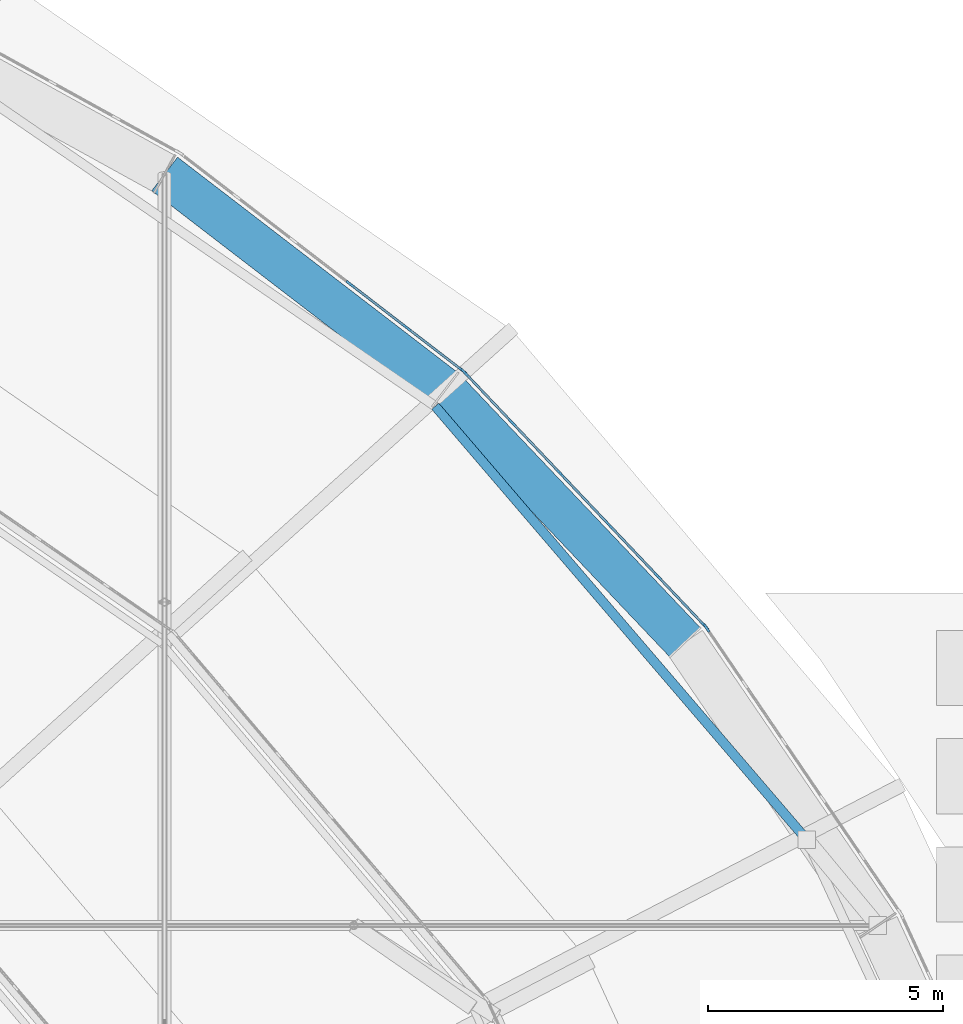
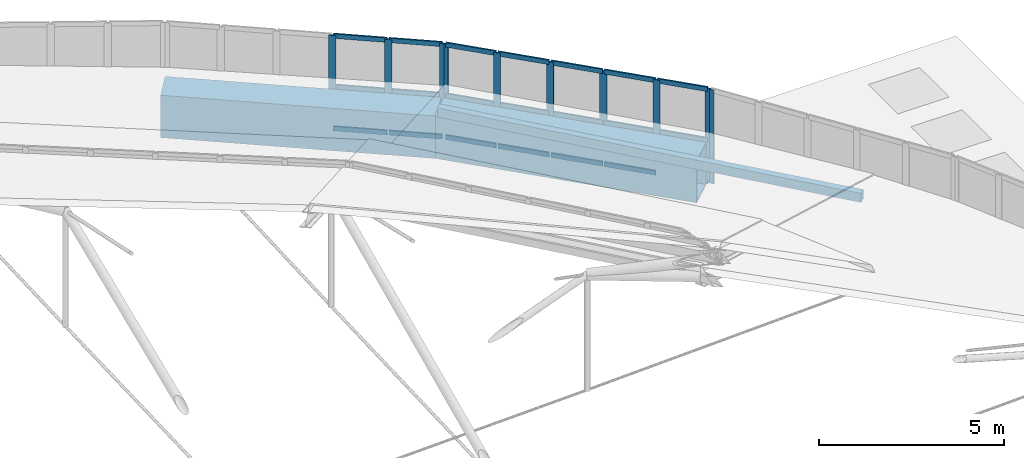
# One storey, part 121 of 173: 32 members, 2 beams, 3 elements without a shape of their own.
"""IFC4 building model written with IfcOpenShell, lengths in metres."""

from ifc_helpers import new_model, si_unit, direction, frame, origin, origin_2d, place, context, subcontext, project, spatial, rectangle, hollow_rectangle, extrude, material, material_profile, profile_set, type_object, element, aggregate, save


model = new_model("IFC4")

# Units and contexts
model_context = context("Model", 3, precision=1e-05, world=origin(), true_north=direction((0.0, 1.0)))
body_context = subcontext(model_context, "Body", "Model", "MODEL_VIEW")
ifc_project = project(units=[si_unit("LENGTHUNIT", "METRE"), si_unit("AREAUNIT", "SQUARE_METRE"), si_unit("VOLUMEUNIT", "CUBIC_METRE"), si_unit("PLANEANGLEUNIT", "RADIAN"), si_unit("MASSUNIT", "GRAM", prefix="KILO")], contexts=[model_context])

# Site, building, storey
site_placement = place(None, origin())
site = spatial("IfcSite", under=ifc_project, at=site_placement, CompositionType="ELEMENT")
building_placement = place(site_placement, origin())
building = spatial("IfcBuilding", under=site, at=building_placement, Name="Glasvene Arena", CompositionType="ELEMENT")
storey_placement = place(building_placement, frame((0.0, 0.0, 28.800048828125)))
storey = spatial("IfcBuildingStorey", under=building, at=storey_placement, Name="RF", CompositionType="ELEMENT", Elevation=28.800048828125)

# Beams
ifc_material_1 = material(Name="Steel S355J2", Category="steel")
ifc_material_profile_1 = material_profile(ifc_material_1, hollow_rectangle(XDim=0.89990234375, YDim=1.39990234375, WallThickness=0.034912109375, at=origin_2d()), Name="WBOX 900x1400x35")
ifc_profile_set_1 = profile_set([ifc_material_profile_1], Name="Steel S355J2")
beam_type = type_object("IfcBeamType", Name="BM-RING-BOX1400", PredefinedType="USERDEFINED", material=ifc_profile_set_1)
beam_1_placement = place(storey_placement, frame((132.45068359375, 99.4501953125, -0.699951171875), z_axis=(-0.688345435881, 0.725383044261, 0.0), x_axis=(-0.725383044261, -0.688345435881, 0.0)))
element("IfcBeam", 1, at=beam_1_placement, inside=storey, type_object=beam_type, Name="Compression ring beam chord RB-05", ObjectType="RING BEAM", PredefinedType="USERDEFINED", context=body_context, shape_type="SweptSolid", body=[
    extrude(hollow_rectangle(XDim=0.89990234375, YDim=1.39990234375, WallThickness=0.034912109375, at=origin_2d()), origin(), (0.0, 0.0, 1.0), 7.402587890625),
])
beam_2_placement = place(storey_placement, frame((127.355224609375, 104.81982421875, -0.699951171875), z_axis=(-0.792826575958, 0.609447307366, 0.0), x_axis=(-0.609447307366, -0.792826575958, 0.0)))
element("IfcBeam", 2, at=beam_2_placement, inside=storey, type_object=beam_type, Name="Compression ring beam chord RB-06", ObjectType="RING BEAM", PredefinedType="USERDEFINED", context=body_context, shape_type="SweptSolid", body=[
    extrude(hollow_rectangle(XDim=0.89990234375, YDim=1.39990234375, WallThickness=0.034912109375, at=origin_2d()), origin(), (0.0, 0.0, 1.0), 7.524658203125),
])

# Curtain wall, member
ifc_material_2 = material(Name="Low-emissivity laminated double glazing", Category="glass")
curtain_wall_type_1 = type_object("IfcCurtainWallType", Name="CW-DRUM-737x310", PredefinedType="USERDEFINED", material=ifc_material_2)
curtain_wall_1_placement = place(storey_placement, frame((137.040283203125, 93.67919921875, 0.0)))
curtain_wall_1 = element("IfcCurtainWall", 3, at=curtain_wall_1_placement, inside=storey, type_object=curtain_wall_type_1, Name="Crown compression-ring fascia curtain wall 04", ObjectType="CURTAIN WALL", PredefinedType="USERDEFINED")
ifc_material_3 = material(Name="Anodised architectural aluminium", Category="aluminium")
ifc_material_profile_2 = material_profile(ifc_material_3, rectangle(XDim=0.050048828125, YDim=0.199951171875, at=origin_2d()), Name="ALU MULLION 50x200")
ifc_profile_set_2 = profile_set([ifc_material_profile_2], Name="Anodised architectural aluminium")
member_type_1 = type_object("IfcMemberType", Name="CW-MUL-180", PredefinedType="MULLION", material=ifc_profile_set_2)
member_1_placement = place(storey_placement, frame((132.909912109375, 99.7529296875, -1.380126953125), z_axis=(0.0, 0.0, 1.0), x_axis=(-0.826896469394, -0.56235418457, 0.0)))
member_1 = element("IfcMember", 4, at=member_1_placement, type_object=member_type_1, Name="CW-074 mullion 6", PredefinedType="MULLION", context=body_context, shape_type="SweptSolid", body=[
    extrude(rectangle(XDim=0.050048828125, YDim=0.199951171875, at=origin_2d()), origin(), (0.0, 0.0, 1.0), 3.10009765625),
])
aggregate(curtain_wall_1, [member_1])

# Curtain wall, members
curtain_wall_type_2 = type_object("IfcCurtainWallType", Name="CW-DRUM-749x310", PredefinedType="USERDEFINED", material=ifc_material_2)
curtain_wall_2_placement = place(storey_placement, frame((132.895751953125, 99.773681640625, 0.0)))
curtain_wall_2 = element("IfcCurtainWall", 5, at=curtain_wall_2_placement, inside=storey, type_object=curtain_wall_type_2, Name="Crown compression-ring fascia curtain wall 05", ObjectType="CURTAIN WALL", PredefinedType="USERDEFINED")
member_2_placement = place(storey_placement, frame((132.878662109375, 99.791748046875, -1.380126953125), z_axis=(0.0, 0.0, 1.0), x_axis=(-0.725782125252, -0.687924637344, 0.0)))
member_2 = element("IfcMember", 6, at=member_2_placement, type_object=member_type_1, Name="CW-075 mullion 1", PredefinedType="MULLION", context=body_context, shape_type="SweptSolid", body=[
    extrude(rectangle(XDim=0.050048828125, YDim=0.199951171875, at=origin_2d()), origin(), (0.0, 0.0, 1.0), 3.10009765625),
])
member_3_placement = place(storey_placement, frame((131.865478515625, 100.860595703125, -1.380126953125), z_axis=(0.0, 0.0, 1.0), x_axis=(-0.725782125252, -0.687924637344, 0.0)))
member_3 = element("IfcMember", 7, at=member_3_placement, type_object=member_type_1, Name="CW-075 mullion 2", PredefinedType="MULLION", context=body_context, shape_type="SweptSolid", body=[
    extrude(rectangle(XDim=0.050048828125, YDim=0.199951171875, at=origin_2d()), origin(), (0.0, 0.0, 1.0), 3.10009765625),
])
member_4_placement = place(storey_placement, frame((130.835205078125, 101.94775390625, -1.380126953125), z_axis=(0.0, 0.0, 1.0), x_axis=(-0.725782125252, -0.687924637344, 0.0)))
member_4 = element("IfcMember", 8, at=member_4_placement, type_object=member_type_1, Name="CW-075 mullion 3", PredefinedType="MULLION", context=body_context, shape_type="SweptSolid", body=[
    extrude(rectangle(XDim=0.050048828125, YDim=0.199951171875, at=origin_2d()), origin(), (0.0, 0.0, 1.0), 3.10009765625),
])
member_5_placement = place(storey_placement, frame((129.804931640625, 103.03466796875, -1.380126953125), z_axis=(0.0, 0.0, 1.0), x_axis=(-0.725782125252, -0.687924637344, 0.0)))
member_5 = element("IfcMember", 9, at=member_5_placement, type_object=member_type_1, Name="CW-075 mullion 4", PredefinedType="MULLION", context=body_context, shape_type="SweptSolid", body=[
    extrude(rectangle(XDim=0.050048828125, YDim=0.199951171875, at=origin_2d()), origin(), (0.0, 0.0, 1.0), 3.10009765625),
])
member_6_placement = place(storey_placement, frame((128.7744140625, 104.12158203125, -1.380126953125), z_axis=(0.0, 0.0, 1.0), x_axis=(-0.725782125252, -0.687924637344, 0.0)))
member_6 = element("IfcMember", 10, at=member_6_placement, type_object=member_type_1, Name="CW-075 mullion 5", PredefinedType="MULLION", context=body_context, shape_type="SweptSolid", body=[
    extrude(rectangle(XDim=0.050048828125, YDim=0.199951171875, at=origin_2d()), origin(), (0.0, 0.0, 1.0), 3.10009765625),
])
member_7_placement = place(storey_placement, frame((127.761474609375, 105.190673828125, -1.380126953125), z_axis=(0.0, 0.0, 1.0), x_axis=(-0.725782125252, -0.687924637344, 0.0)))
member_7 = element("IfcMember", 11, at=member_7_placement, type_object=member_type_1, Name="CW-075 mullion 6", PredefinedType="MULLION", context=body_context, shape_type="SweptSolid", body=[
    extrude(rectangle(XDim=0.050048828125, YDim=0.199951171875, at=origin_2d()), origin(), (0.0, 0.0, 1.0), 3.10009765625),
])

curtain_wall_type_3 = type_object("IfcCurtainWallType", Name="CW-DRUM-761x310", PredefinedType="USERDEFINED", material=ifc_material_2)
curtain_wall_3_placement = place(storey_placement, frame((127.744140625, 105.208740234375, 0.0)))
curtain_wall_3 = element("IfcCurtainWall", 12, at=curtain_wall_3_placement, inside=storey, type_object=curtain_wall_type_3, Name="Crown compression-ring fascia curtain wall 06", ObjectType="CURTAIN WALL", PredefinedType="USERDEFINED")
member_8_placement = place(storey_placement, frame((127.724365234375, 105.223876953125, -1.380126953125), z_axis=(0.0, 0.0, 1.0), x_axis=(-0.609894880488, -0.792482324569, 0.0)))
member_8 = element("IfcMember", 13, at=member_8_placement, type_object=member_type_1, Name="CW-076 mullion 1", PredefinedType="MULLION", context=body_context, shape_type="SweptSolid", body=[
    extrude(rectangle(XDim=0.050048828125, YDim=0.199951171875, at=origin_2d()), origin(), (0.0, 0.0, 1.0), 3.10009765625),
])
member_9_placement = place(storey_placement, frame((126.537841796875, 106.13720703125, -1.380126953125), z_axis=(0.0, 0.0, 1.0), x_axis=(-0.609894880488, -0.792482324569, 0.0)))
member_9 = element("IfcMember", 14, at=member_9_placement, type_object=member_type_1, Name="CW-076 mullion 2", PredefinedType="MULLION", context=body_context, shape_type="SweptSolid", body=[
    extrude(rectangle(XDim=0.050048828125, YDim=0.199951171875, at=origin_2d()), origin(), (0.0, 0.0, 1.0), 3.10009765625),
])
member_10_placement = place(storey_placement, frame((125.33154296875, 107.0654296875, -1.380126953125), z_axis=(0.0, 0.0, 1.0), x_axis=(-0.609894880488, -0.792482324569, 0.0)))
member_10 = element("IfcMember", 15, at=member_10_placement, type_object=member_type_1, Name="CW-076 mullion 3", PredefinedType="MULLION", context=body_context, shape_type="SweptSolid", body=[
    extrude(rectangle(XDim=0.050048828125, YDim=0.199951171875, at=origin_2d()), origin(), (0.0, 0.0, 1.0), 3.10009765625),
])

# Member
ifc_material_profile_3 = material_profile(ifc_material_3, rectangle(XDim=0.050048828125, YDim=0.14990234375, at=origin_2d()), Name="ALU TRANSOM 50x150")
ifc_profile_set_3 = profile_set([ifc_material_profile_3], Name="Anodised architectural aluminium")
member_type_2 = type_object("IfcMemberType", Name="CW-TRN-150", PredefinedType="USERDEFINED", material=ifc_profile_set_3)
member_11_placement = place(storey_placement, frame((132.861328125, 99.809814453125, -1.35498046875), z_axis=(-0.687892173454, 0.725812894416, 0.0), x_axis=(-0.725812894416, -0.687892173454, 0.0)))
member_11 = element("IfcMember", 16, at=member_11_placement, type_object=member_type_2, Name="CW-075 transom 1.1", ObjectType="TRANSOM", PredefinedType="USERDEFINED", context=body_context, shape_type="SweptSolid", body=[
    extrude(rectangle(XDim=0.050048828125, YDim=0.14990234375, at=origin_2d()), origin(), (0.0, 0.0, 1.0), 1.4228515625),
])

member_12_placement = place(storey_placement, frame((132.861328125, 99.809814453125, 0.02001953125), z_axis=(-0.687892173454, 0.725812894416, 0.0), x_axis=(-0.725812894416, -0.687892173454, 0.0)))
member_12 = element("IfcMember", 17, at=member_12_placement, type_object=member_type_2, Name="CW-075 transom 1.2", ObjectType="TRANSOM", PredefinedType="USERDEFINED", context=body_context, shape_type="SweptSolid", body=[
    extrude(rectangle(XDim=0.050048828125, YDim=0.14990234375, at=origin_2d()), origin(), (0.0, 0.0, 1.0), 1.4228515625),
])

member_13_placement = place(storey_placement, frame((132.861328125, 99.809814453125, 1.695068359375), z_axis=(-0.687892173454, 0.725812894416, 0.0), x_axis=(-0.725812894416, -0.687892173454, 0.0)))
member_13 = element("IfcMember", 18, at=member_13_placement, type_object=member_type_2, Name="CW-075 transom 1.3", ObjectType="TRANSOM", PredefinedType="USERDEFINED", context=body_context, shape_type="SweptSolid", body=[
    extrude(rectangle(XDim=0.050048828125, YDim=0.14990234375, at=origin_2d()), origin(), (0.0, 0.0, 1.0), 1.4228515625),
])

member_14_placement = place(storey_placement, frame((131.848388671875, 100.878662109375, -1.35498046875), z_axis=(-0.687969113319, 0.725739966599, 0.0), x_axis=(-0.725739966599, -0.687969113319, 0.0)))
member_14 = element("IfcMember", 19, at=member_14_placement, type_object=member_type_2, Name="CW-075 transom 2.1", ObjectType="TRANSOM", PredefinedType="USERDEFINED", context=body_context, shape_type="SweptSolid", body=[
    extrude(rectangle(XDim=0.050048828125, YDim=0.14990234375, at=origin_2d()), origin(), (0.0, 0.0, 1.0), 1.44775390625),
])

member_15_placement = place(storey_placement, frame((131.848388671875, 100.878662109375, 0.02001953125), z_axis=(-0.687969113319, 0.725739966599, 0.0), x_axis=(-0.725739966599, -0.687969113319, 0.0)))
member_15 = element("IfcMember", 20, at=member_15_placement, type_object=member_type_2, Name="CW-075 transom 2.2", ObjectType="TRANSOM", PredefinedType="USERDEFINED", context=body_context, shape_type="SweptSolid", body=[
    extrude(rectangle(XDim=0.050048828125, YDim=0.14990234375, at=origin_2d()), origin(), (0.0, 0.0, 1.0), 1.44775390625),
])

member_16_placement = place(storey_placement, frame((131.848388671875, 100.878662109375, 1.695068359375), z_axis=(-0.687969113319, 0.725739966599, 0.0), x_axis=(-0.725739966599, -0.687969113319, 0.0)))
member_16 = element("IfcMember", 21, at=member_16_placement, type_object=member_type_2, Name="CW-075 transom 2.3", ObjectType="TRANSOM", PredefinedType="USERDEFINED", context=body_context, shape_type="SweptSolid", body=[
    extrude(rectangle(XDim=0.050048828125, YDim=0.14990234375, at=origin_2d()), origin(), (0.0, 0.0, 1.0), 1.44775390625),
])

member_17_placement = place(storey_placement, frame((130.81787109375, 101.9658203125, -1.35498046875), z_axis=(-0.687880286025, 0.725824160591, 0.0), x_axis=(-0.725824160591, -0.687880286025, 0.0)))
member_17 = element("IfcMember", 22, at=member_17_placement, type_object=member_type_2, Name="CW-075 transom 3.1", ObjectType="TRANSOM", PredefinedType="USERDEFINED", context=body_context, shape_type="SweptSolid", body=[
    extrude(rectangle(XDim=0.050048828125, YDim=0.14990234375, at=origin_2d()), origin(), (0.0, 0.0, 1.0), 1.44775390625),
])

member_18_placement = place(storey_placement, frame((130.81787109375, 101.9658203125, 0.02001953125), z_axis=(-0.687880286025, 0.725824160591, 0.0), x_axis=(-0.725824160591, -0.687880286025, 0.0)))
member_18 = element("IfcMember", 23, at=member_18_placement, type_object=member_type_2, Name="CW-075 transom 3.2", ObjectType="TRANSOM", PredefinedType="USERDEFINED", context=body_context, shape_type="SweptSolid", body=[
    extrude(rectangle(XDim=0.050048828125, YDim=0.14990234375, at=origin_2d()), origin(), (0.0, 0.0, 1.0), 1.44775390625),
])

member_19_placement = place(storey_placement, frame((130.81787109375, 101.9658203125, 1.695068359375), z_axis=(-0.687880286025, 0.725824160591, 0.0), x_axis=(-0.725824160591, -0.687880286025, 0.0)))
member_19 = element("IfcMember", 24, at=member_19_placement, type_object=member_type_2, Name="CW-075 transom 3.3", ObjectType="TRANSOM", PredefinedType="USERDEFINED", context=body_context, shape_type="SweptSolid", body=[
    extrude(rectangle(XDim=0.050048828125, YDim=0.14990234375, at=origin_2d()), origin(), (0.0, 0.0, 1.0), 1.44775390625),
])

member_20_placement = place(storey_placement, frame((129.78759765625, 103.052734375, -1.35498046875), z_axis=(-0.687880286025, 0.725824160591, 0.0), x_axis=(-0.725824160591, -0.687880286025, 0.0)))
member_20 = element("IfcMember", 25, at=member_20_placement, type_object=member_type_2, Name="CW-075 transom 4.1", ObjectType="TRANSOM", PredefinedType="USERDEFINED", context=body_context, shape_type="SweptSolid", body=[
    extrude(rectangle(XDim=0.050048828125, YDim=0.14990234375, at=origin_2d()), origin(), (0.0, 0.0, 1.0), 1.44775390625),
])

member_21_placement = place(storey_placement, frame((129.78759765625, 103.052734375, 0.02001953125), z_axis=(-0.687880286025, 0.725824160591, 0.0), x_axis=(-0.725824160591, -0.687880286025, 0.0)))
member_21 = element("IfcMember", 26, at=member_21_placement, type_object=member_type_2, Name="CW-075 transom 4.2", ObjectType="TRANSOM", PredefinedType="USERDEFINED", context=body_context, shape_type="SweptSolid", body=[
    extrude(rectangle(XDim=0.050048828125, YDim=0.14990234375, at=origin_2d()), origin(), (0.0, 0.0, 1.0), 1.44775390625),
])

member_22_placement = place(storey_placement, frame((129.78759765625, 103.052734375, 1.695068359375), z_axis=(-0.687880286025, 0.725824160591, 0.0), x_axis=(-0.725824160591, -0.687880286025, 0.0)))
member_22 = element("IfcMember", 27, at=member_22_placement, type_object=member_type_2, Name="CW-075 transom 4.3", ObjectType="TRANSOM", PredefinedType="USERDEFINED", context=body_context, shape_type="SweptSolid", body=[
    extrude(rectangle(XDim=0.050048828125, YDim=0.14990234375, at=origin_2d()), origin(), (0.0, 0.0, 1.0), 1.44775390625),
])

member_23_placement = place(storey_placement, frame((128.75732421875, 104.139892578125, -1.35498046875), z_axis=(-0.687977849448, 0.725731685038, 0.0), x_axis=(-0.725731685038, -0.687977849448, 0.0)))
member_23 = element("IfcMember", 28, at=member_23_placement, type_object=member_type_2, Name="CW-075 transom 5.1", ObjectType="TRANSOM", PredefinedType="USERDEFINED", context=body_context, shape_type="SweptSolid", body=[
    extrude(rectangle(XDim=0.050048828125, YDim=0.14990234375, at=origin_2d()), origin(), (0.0, 0.0, 1.0), 1.422607421875),
])

member_24_placement = place(storey_placement, frame((128.75732421875, 104.139892578125, 0.02001953125), z_axis=(-0.687977849448, 0.725731685038, 0.0), x_axis=(-0.725731685038, -0.687977849448, 0.0)))
member_24 = element("IfcMember", 29, at=member_24_placement, type_object=member_type_2, Name="CW-075 transom 5.2", ObjectType="TRANSOM", PredefinedType="USERDEFINED", context=body_context, shape_type="SweptSolid", body=[
    extrude(rectangle(XDim=0.050048828125, YDim=0.14990234375, at=origin_2d()), origin(), (0.0, 0.0, 1.0), 1.422607421875),
])

member_25_placement = place(storey_placement, frame((128.75732421875, 104.139892578125, 1.695068359375), z_axis=(-0.687977849448, 0.725731685038, 0.0), x_axis=(-0.725731685038, -0.687977849448, 0.0)))
member_25 = element("IfcMember", 30, at=member_25_placement, type_object=member_type_2, Name="CW-075 transom 5.3", ObjectType="TRANSOM", PredefinedType="USERDEFINED", context=body_context, shape_type="SweptSolid", body=[
    extrude(rectangle(XDim=0.050048828125, YDim=0.14990234375, at=origin_2d()), origin(), (0.0, 0.0, 1.0), 1.422607421875),
])

aggregate(curtain_wall_2, [member_2, member_3, member_4, member_5, member_6, member_7, member_11, member_12, member_13, member_14, member_15, member_16, member_17, member_18, member_19, member_20, member_21, member_22, member_23, member_24, member_25])

member_26_placement = place(storey_placement, frame((127.70458984375, 105.2392578125, -1.35498046875), z_axis=(-0.792529911732, 0.609833041914, 0.0), x_axis=(-0.609833041914, -0.792529911732, 0.0)))
member_26 = element("IfcMember", 31, at=member_26_placement, type_object=member_type_2, Name="CW-076 transom 1.1", ObjectType="TRANSOM", PredefinedType="USERDEFINED", context=body_context, shape_type="SweptSolid", body=[
    extrude(rectangle(XDim=0.050048828125, YDim=0.14990234375, at=origin_2d()), origin(), (0.0, 0.0, 1.0), 1.447265625),
])

member_27_placement = place(storey_placement, frame((127.70458984375, 105.2392578125, 0.02001953125), z_axis=(-0.792529911732, 0.609833041914, 0.0), x_axis=(-0.609833041914, -0.792529911732, 0.0)))
member_27 = element("IfcMember", 32, at=member_27_placement, type_object=member_type_2, Name="CW-076 transom 1.2", ObjectType="TRANSOM", PredefinedType="USERDEFINED", context=body_context, shape_type="SweptSolid", body=[
    extrude(rectangle(XDim=0.050048828125, YDim=0.14990234375, at=origin_2d()), origin(), (0.0, 0.0, 1.0), 1.447265625),
])

member_28_placement = place(storey_placement, frame((127.70458984375, 105.2392578125, 1.695068359375), z_axis=(-0.792529911732, 0.609833041914, 0.0), x_axis=(-0.609833041914, -0.792529911732, 0.0)))
member_28 = element("IfcMember", 33, at=member_28_placement, type_object=member_type_2, Name="CW-076 transom 1.3", ObjectType="TRANSOM", PredefinedType="USERDEFINED", context=body_context, shape_type="SweptSolid", body=[
    extrude(rectangle(XDim=0.050048828125, YDim=0.14990234375, at=origin_2d()), origin(), (0.0, 0.0, 1.0), 1.447265625),
])

member_29_placement = place(storey_placement, frame((126.51806640625, 106.15234375, -1.35498046875), z_axis=(-0.792476018124, 0.60990307484, 0.0), x_axis=(-0.60990307484, -0.792476018124, 0.0)))
member_29 = element("IfcMember", 34, at=member_29_placement, type_object=member_type_2, Name="CW-076 transom 2.1", ObjectType="TRANSOM", PredefinedType="USERDEFINED", context=body_context, shape_type="SweptSolid", body=[
    extrude(rectangle(XDim=0.050048828125, YDim=0.14990234375, at=origin_2d()), origin(), (0.0, 0.0, 1.0), 1.47216796875),
])

member_30_placement = place(storey_placement, frame((126.51806640625, 106.15234375, 0.02001953125), z_axis=(-0.792476018124, 0.60990307484, 0.0), x_axis=(-0.60990307484, -0.792476018124, 0.0)))
member_30 = element("IfcMember", 35, at=member_30_placement, type_object=member_type_2, Name="CW-076 transom 2.2", ObjectType="TRANSOM", PredefinedType="USERDEFINED", context=body_context, shape_type="SweptSolid", body=[
    extrude(rectangle(XDim=0.050048828125, YDim=0.14990234375, at=origin_2d()), origin(), (0.0, 0.0, 1.0), 1.47216796875),
])

member_31_placement = place(storey_placement, frame((126.51806640625, 106.15234375, 1.695068359375), z_axis=(-0.792476018124, 0.60990307484, 0.0), x_axis=(-0.60990307484, -0.792476018124, 0.0)))
member_31 = element("IfcMember", 36, at=member_31_placement, type_object=member_type_2, Name="CW-076 transom 2.3", ObjectType="TRANSOM", PredefinedType="USERDEFINED", context=body_context, shape_type="SweptSolid", body=[
    extrude(rectangle(XDim=0.050048828125, YDim=0.14990234375, at=origin_2d()), origin(), (0.0, 0.0, 1.0), 1.47216796875),
])

aggregate(curtain_wall_3, [member_8, member_9, member_10, member_26, member_27, member_28, member_29, member_30, member_31])

ifc_material_profile_4 = material_profile(ifc_material_1, hollow_rectangle(XDim=0.199951171875, YDim=0.300048828125, WallThickness=0.012451171875, at=origin_2d()), Name="RHS 300x200x12.5")
ifc_profile_set_4 = profile_set([ifc_material_profile_4], Name="Steel S355J2")
member_type_3 = type_object("IfcMemberType", Name="MB-PURLIN-RHS300", PredefinedType="PURLIN", material=ifc_profile_set_4)
member_32_placement = place(storey_placement, frame((135.04150390625, 95.25, 0.16748046875), z_axis=(-0.650720142041, 0.759317652068, 0.0), x_axis=(-0.759317652068, -0.650720142041, 0.0)))
element("IfcMember", 37, at=member_32_placement, inside=storey, type_object=member_type_3, Name="Petal ring 1 outer purlin 03", PredefinedType="PURLIN", context=body_context, shape_type="SweptSolid", body=[
    extrude(hollow_rectangle(XDim=0.199951171875, YDim=0.300048828125, WallThickness=0.012451171875, at=origin_2d()), origin(), (0.0, 0.0, 1.0), 12.1376953125),
])

save(model, "model.ifc")
